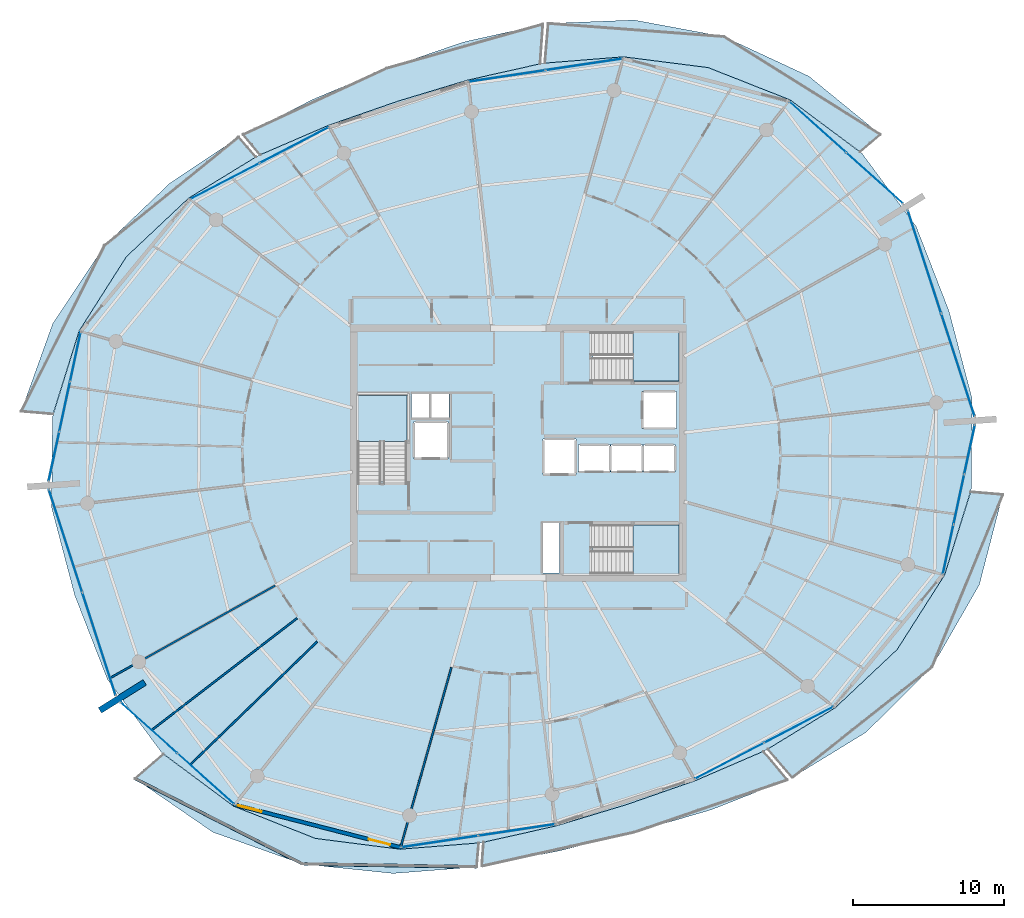
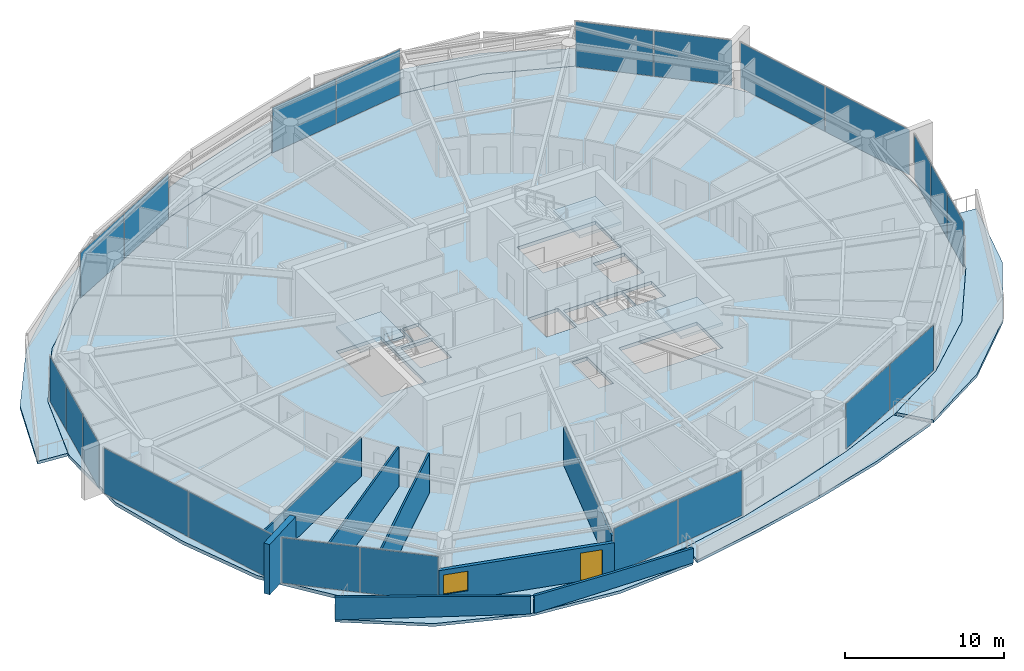
# One storey, part 16 of 29: 22 plates, 10 slabs, 8 walls, 1 door, 1 window, 2 openings, 13 elements without a shape of their own.
"""IFC4 building model written with IfcOpenShell, lengths in metres."""

from ifc_helpers import new_model, si_unit, direction, frame, frame_2d, origin, origin_2d, place, context, subcontext, project, spatial, polyline, rectangle, outline, extrude, material, layer, layer_set, type_object, element, fill, aggregate, save


model = new_model("IFC4")

# Units and contexts
model_context = context("Model", 3, precision=1e-05, world=origin(), true_north=direction((0.0, 1.0)))
body_context = subcontext(model_context, "Body", "Model", "MODEL_VIEW")
ifc_project = project(units=[si_unit("LENGTHUNIT", "METRE"), si_unit("AREAUNIT", "SQUARE_METRE"), si_unit("VOLUMEUNIT", "CUBIC_METRE"), si_unit("PLANEANGLEUNIT", "RADIAN"), si_unit("MASSUNIT", "GRAM", prefix="KILO")], contexts=[model_context])

# Site, building, storey
site_placement = place(None, origin())
site = spatial("IfcSite", under=ifc_project, at=site_placement, CompositionType="ELEMENT")
building_placement = place(site_placement, origin())
building = spatial("IfcBuilding", under=site, at=building_placement, Name="Kazma Halo Residences", CompositionType="ELEMENT")
storey_placement = place(building_placement, frame((0.0, 0.0, 282.89990234375)))
storey = spatial("IfcBuildingStorey", under=building, at=storey_placement, Name="L71", CompositionType="ELEMENT", Elevation=282.89990234375)

# Curtain wall, plates
ifc_material_1 = material(Name="Aluminium AW-6063 T6 and Triple-Silver Low-E Glass", Category="aluminium")
ifc_layer_1 = layer(ifc_material_1, 0.139892578125)
ifc_layer_set_1 = layer_set([ifc_layer_1], Name="Aluminium AW-6063 T6 and Triple-Silver Low-E Glass")
curtain_wall_type = type_object("IfcCurtainWallType", Name="CW-SYS-5", PredefinedType="NOTDEFINED", material=ifc_layer_set_1)
curtain_wall_1_placement = place(storey_placement, origin())
curtain_wall_1 = element("IfcCurtainWall", 1, at=curtain_wall_1_placement, inside=storey, type_object=curtain_wall_type, Name="L71 unitised curtain wall B01", PredefinedType="NOTDEFINED")
ifc_material_2 = material(Name="Clear Triple-Silver Low-E Glass IGU", Category="glass")
ifc_layer_2 = layer(ifc_material_2, 0.02587890625)
ifc_layer_set_2 = layer_set([ifc_layer_2], Name="Clear Triple-Silver Low-E Glass IGU")
plate_type = type_object("IfcPlateType", Name="CW-SYS-5-PNL", PredefinedType="CURTAIN_PANEL", material=ifc_layer_set_2)
plate_1_placement = place(storey_placement, frame((72.002685546875, 60.179443359375, 0.06005859375), z_axis=(0.0, 0.0, 1.0), x_axis=(-0.744336424671, 0.667804826958, 0.0)))
plate_1 = element("IfcPlate", 2, at=plate_1_placement, type_object=plate_type, Name="CWS-5 panel 1.1", PredefinedType="CURTAIN_PANEL", context=body_context, shape_type="SweptSolid", body=[
    extrude(rectangle(XDim=4.993408203125, YDim=0.02587890625, at=origin_2d()), origin(), (0.0, 0.0, 1.0), 3.469970703125),
])
plate_2_placement = place(storey_placement, frame((68.2412109375, 63.55419921875, 0.06005859375), z_axis=(0.0, 0.0, 1.0), x_axis=(-0.744336424671, 0.667804826958, 0.0)))
plate_2 = element("IfcPlate", 3, at=plate_2_placement, type_object=plate_type, Name="CWS-5 panel 2.1", PredefinedType="CURTAIN_PANEL", context=body_context, shape_type="SweptSolid", body=[
    extrude(rectangle(XDim=4.993408203125, YDim=0.02587890625, at=origin_2d()), origin(), (0.0, 0.0, 1.0), 3.469970703125),
])
aggregate(curtain_wall_1, [plate_1, plate_2])

curtain_wall_2_placement = place(storey_placement, origin())
curtain_wall_2 = element("IfcCurtainWall", 4, at=curtain_wall_2_placement, inside=storey, type_object=curtain_wall_type, Name="L71 unitised curtain wall B03", PredefinedType="NOTDEFINED")
plate_3_placement = place(storey_placement, frame((52.77783203125, 67.70361328125, 0.06005859375), z_axis=(0.0, 0.0, 1.0), x_axis=(-0.988882792998, -0.148697080374, 0.0)))
plate_3 = element("IfcPlate", 5, at=plate_3_placement, type_object=plate_type, Name="CWS-5 panel 1.1", PredefinedType="CURTAIN_PANEL", context=body_context, shape_type="SweptSolid", body=[
    extrude(rectangle(XDim=5.099853515625, YDim=0.02587890625, at=origin_2d()), origin(), (0.0, 0.0, 1.0), 3.469970703125),
])
plate_4_placement = place(storey_placement, frame((47.67529296875, 66.936279296875, 0.06005859375), z_axis=(0.0, 0.0, 1.0), x_axis=(-0.988882792998, -0.148697080374, 0.0)))
plate_4 = element("IfcPlate", 6, at=plate_4_placement, type_object=plate_type, Name="CWS-5 panel 2.1", PredefinedType="CURTAIN_PANEL", context=body_context, shape_type="SweptSolid", body=[
    extrude(rectangle(XDim=5.099853515625, YDim=0.02587890625, at=origin_2d()), origin(), (0.0, 0.0, 1.0), 3.469970703125),
])
aggregate(curtain_wall_2, [plate_3, plate_4])

curtain_wall_3_placement = place(storey_placement, origin())
curtain_wall_3 = element("IfcCurtainWall", 7, at=curtain_wall_3_placement, inside=storey, type_object=curtain_wall_type, Name="L71 unitised curtain wall B05", PredefinedType="NOTDEFINED")
plate_5_placement = place(storey_placement, frame((33.60546875, 62.36474609375, 0.06005859375), z_axis=(0.0, 0.0, 1.0), x_axis=(-0.887420518694, -0.460960760804, 0.0)))
plate_5 = element("IfcPlate", 8, at=plate_5_placement, type_object=plate_type, Name="CWS-5 panel 1.1", PredefinedType="CURTAIN_PANEL", context=body_context, shape_type="SweptSolid", body=[
    extrude(rectangle(XDim=5.099609375, YDim=0.02587890625, at=origin_2d()), origin(), (0.0, 0.0, 1.0), 3.469970703125),
])
plate_6_placement = place(storey_placement, frame((29.026611328125, 59.986328125, 0.06005859375), z_axis=(0.0, 0.0, 1.0), x_axis=(-0.887420518694, -0.460960760804, 0.0)))
plate_6 = element("IfcPlate", 9, at=plate_6_placement, type_object=plate_type, Name="CWS-5 panel 2.1", PredefinedType="CURTAIN_PANEL", context=body_context, shape_type="SweptSolid", body=[
    extrude(rectangle(XDim=5.099609375, YDim=0.02587890625, at=origin_2d()), origin(), (0.0, 0.0, 1.0), 3.469970703125),
])
aggregate(curtain_wall_3, [plate_5, plate_6])

curtain_wall_4_placement = place(storey_placement, origin())
curtain_wall_4 = element("IfcCurtainWall", 10, at=curtain_wall_4_placement, inside=storey, type_object=curtain_wall_type, Name="L71 unitised curtain wall B07", PredefinedType="NOTDEFINED")
plate_7_placement = place(storey_placement, frame((19.133056640625, 48.36865234375, 0.06005859375), z_axis=(0.0, 0.0, 1.0), x_axis=(-0.209657382603, -0.97777491373, 0.0)))
plate_7 = element("IfcPlate", 11, at=plate_7_placement, type_object=plate_type, Name="CWS-5 panel 1.1", PredefinedType="CURTAIN_PANEL", context=body_context, shape_type="SweptSolid", body=[
    extrude(rectangle(XDim=3.299072265625, YDim=0.02587890625, at=origin_2d()), origin(), (0.0, 0.0, 1.0), 3.469970703125),
])
plate_8_placement = place(storey_placement, frame((18.42578125, 45.069580078125, 0.06005859375), z_axis=(0.0, 0.0, 1.0), x_axis=(-0.209657382603, -0.97777491373, 0.0)))
plate_8 = element("IfcPlate", 12, at=plate_8_placement, type_object=plate_type, Name="CWS-5 panel 2.1", PredefinedType="CURTAIN_PANEL", context=body_context, shape_type="SweptSolid", body=[
    extrude(rectangle(XDim=3.3291015625, YDim=0.02587890625, at=origin_2d()), origin(), (0.0, 0.0, 1.0), 3.469970703125),
])
plate_9_placement = place(storey_placement, frame((17.71826171875, 41.7705078125, 0.06005859375), z_axis=(0.0, 0.0, 1.0), x_axis=(-0.209657382603, -0.97777491373, 0.0)))
plate_9 = element("IfcPlate", 13, at=plate_9_placement, type_object=plate_type, Name="CWS-5 panel 3.1", PredefinedType="CURTAIN_PANEL", context=body_context, shape_type="SweptSolid", body=[
    extrude(rectangle(XDim=3.299072265625, YDim=0.02587890625, at=origin_2d()), origin(), (0.0, 0.0, 1.0), 3.469970703125),
])
aggregate(curtain_wall_4, [plate_7, plate_8, plate_9])

curtain_wall_5_placement = place(storey_placement, origin())
curtain_wall_5 = element("IfcCurtainWall", 14, at=curtain_wall_5_placement, inside=storey, type_object=curtain_wall_type, Name="L71 unitised curtain wall B08", PredefinedType="NOTDEFINED")
plate_10_placement = place(storey_placement, frame((18.48486328125, 36.1787109375, 0.06005859375), z_axis=(0.0, 0.0, 1.0), x_axis=(0.309010998786, -0.951058464359, 0.0)))
plate_10 = element("IfcPlate", 15, at=plate_10_placement, type_object=plate_type, Name="CWS-5 panel 1.1", PredefinedType="CURTAIN_PANEL", context=body_context, shape_type="SweptSolid", body=[
    extrude(rectangle(XDim=7.108642578125, YDim=0.02587890625, at=origin_2d()), origin(), (0.0, 0.0, 1.0), 3.469970703125),
])
plate_11_placement = place(storey_placement, frame((20.699951171875, 29.36083984375, 0.06005859375), z_axis=(0.0, 0.0, 1.0), x_axis=(0.309010998786, -0.951058464359, 0.0)))
plate_11 = element("IfcPlate", 16, at=plate_11_placement, type_object=plate_type, Name="CWS-5 panel 2.1", PredefinedType="CURTAIN_PANEL", context=body_context, shape_type="SweptSolid", body=[
    extrude(rectangle(XDim=7.108642578125, YDim=0.02587890625, at=origin_2d()), origin(), (0.0, 0.0, 1.0), 3.469970703125),
])
aggregate(curtain_wall_5, [plate_10, plate_11])

curtain_wall_6_placement = place(storey_placement, origin())
curtain_wall_6 = element("IfcCurtainWall", 17, at=curtain_wall_6_placement, inside=storey, type_object=curtain_wall_type, Name="L71 unitised curtain wall B09", PredefinedType="NOTDEFINED")
plate_12_placement = place(storey_placement, frame((23.997314453125, 23.820556640625, 0.06005859375), z_axis=(0.0, 0.0, 1.0), x_axis=(0.744336424671, -0.667804826958, 0.0)))
plate_12 = element("IfcPlate", 18, at=plate_12_placement, type_object=plate_type, Name="CWS-5 panel 1.1", PredefinedType="CURTAIN_PANEL", context=body_context, shape_type="SweptSolid", body=[
    extrude(rectangle(XDim=4.993408203125, YDim=0.02587890625, at=origin_2d()), origin(), (0.0, 0.0, 1.0), 3.469970703125),
])
plate_13_placement = place(storey_placement, frame((27.7587890625, 20.44580078125, 0.06005859375), z_axis=(0.0, 0.0, 1.0), x_axis=(0.744336424671, -0.667804826958, 0.0)))
plate_13 = element("IfcPlate", 19, at=plate_13_placement, type_object=plate_type, Name="CWS-5 panel 2.1", PredefinedType="CURTAIN_PANEL", context=body_context, shape_type="SweptSolid", body=[
    extrude(rectangle(XDim=4.993408203125, YDim=0.02587890625, at=origin_2d()), origin(), (0.0, 0.0, 1.0), 3.469970703125),
])
aggregate(curtain_wall_6, [plate_12, plate_13])

curtain_wall_7_placement = place(storey_placement, origin())
curtain_wall_7 = element("IfcCurtainWall", 20, at=curtain_wall_7_placement, inside=storey, type_object=curtain_wall_type, Name="L71 unitised curtain wall B11", PredefinedType="NOTDEFINED")
plate_14_placement = place(storey_placement, frame((43.22216796875, 16.29638671875, 0.06005859375), z_axis=(0.0, 0.0, 1.0), x_axis=(0.988882792998, 0.148697080374, 0.0)))
plate_14 = element("IfcPlate", 21, at=plate_14_placement, type_object=plate_type, Name="CWS-5 panel 1.1", PredefinedType="CURTAIN_PANEL", context=body_context, shape_type="SweptSolid", body=[
    extrude(rectangle(XDim=5.099853515625, YDim=0.02587890625, at=origin_2d()), origin(), (0.0, 0.0, 1.0), 3.469970703125),
])
plate_15_placement = place(storey_placement, frame((48.32470703125, 17.063720703125, 0.06005859375), z_axis=(0.0, 0.0, 1.0), x_axis=(0.988882792998, 0.148697080374, 0.0)))
plate_15 = element("IfcPlate", 22, at=plate_15_placement, type_object=plate_type, Name="CWS-5 panel 2.1", PredefinedType="CURTAIN_PANEL", context=body_context, shape_type="SweptSolid", body=[
    extrude(rectangle(XDim=5.099853515625, YDim=0.02587890625, at=origin_2d()), origin(), (0.0, 0.0, 1.0), 3.469970703125),
])
aggregate(curtain_wall_7, [plate_14, plate_15])

curtain_wall_8_placement = place(storey_placement, origin())
curtain_wall_8 = element("IfcCurtainWall", 23, at=curtain_wall_8_placement, inside=storey, type_object=curtain_wall_type, Name="L71 unitised curtain wall B13", PredefinedType="NOTDEFINED")
plate_16_placement = place(storey_placement, frame((62.39453125, 21.63525390625, 0.06005859375), z_axis=(0.0, 0.0, 1.0), x_axis=(0.887420518694, 0.460960760804, 0.0)))
plate_16 = element("IfcPlate", 24, at=plate_16_placement, type_object=plate_type, Name="CWS-5 panel 1.1", PredefinedType="CURTAIN_PANEL", context=body_context, shape_type="SweptSolid", body=[
    extrude(rectangle(XDim=5.099609375, YDim=0.02587890625, at=origin_2d()), origin(), (0.0, 0.0, 1.0), 3.469970703125),
])
plate_17_placement = place(storey_placement, frame((66.973388671875, 24.013671875, 0.06005859375), z_axis=(0.0, 0.0, 1.0), x_axis=(0.887420518694, 0.460960760804, 0.0)))
plate_17 = element("IfcPlate", 25, at=plate_17_placement, type_object=plate_type, Name="CWS-5 panel 2.1", PredefinedType="CURTAIN_PANEL", context=body_context, shape_type="SweptSolid", body=[
    extrude(rectangle(XDim=5.099609375, YDim=0.02587890625, at=origin_2d()), origin(), (0.0, 0.0, 1.0), 3.469970703125),
])
aggregate(curtain_wall_8, [plate_16, plate_17])

curtain_wall_9_placement = place(storey_placement, origin())
curtain_wall_9 = element("IfcCurtainWall", 26, at=curtain_wall_9_placement, inside=storey, type_object=curtain_wall_type, Name="L71 unitised curtain wall B15", PredefinedType="NOTDEFINED")
plate_18_placement = place(storey_placement, frame((76.866943359375, 35.63134765625, 0.06005859375), z_axis=(0.0, 0.0, 1.0), x_axis=(0.209657382603, 0.97777491373, 0.0)))
plate_18 = element("IfcPlate", 27, at=plate_18_placement, type_object=plate_type, Name="CWS-5 panel 1.1", PredefinedType="CURTAIN_PANEL", context=body_context, shape_type="SweptSolid", body=[
    extrude(rectangle(XDim=3.299072265625, YDim=0.02587890625, at=origin_2d()), origin(), (0.0, 0.0, 1.0), 3.469970703125),
])
plate_19_placement = place(storey_placement, frame((77.57421875, 38.930419921875, 0.06005859375), z_axis=(0.0, 0.0, 1.0), x_axis=(0.209657382603, 0.97777491373, 0.0)))
plate_19 = element("IfcPlate", 28, at=plate_19_placement, type_object=plate_type, Name="CWS-5 panel 2.1", PredefinedType="CURTAIN_PANEL", context=body_context, shape_type="SweptSolid", body=[
    extrude(rectangle(XDim=3.3291015625, YDim=0.02587890625, at=origin_2d()), origin(), (0.0, 0.0, 1.0), 3.469970703125),
])
plate_20_placement = place(storey_placement, frame((78.28173828125, 42.2294921875, 0.06005859375), z_axis=(0.0, 0.0, 1.0), x_axis=(0.209657382603, 0.97777491373, 0.0)))
plate_20 = element("IfcPlate", 29, at=plate_20_placement, type_object=plate_type, Name="CWS-5 panel 3.1", PredefinedType="CURTAIN_PANEL", context=body_context, shape_type="SweptSolid", body=[
    extrude(rectangle(XDim=3.299072265625, YDim=0.02587890625, at=origin_2d()), origin(), (0.0, 0.0, 1.0), 3.469970703125),
])
aggregate(curtain_wall_9, [plate_18, plate_19, plate_20])

curtain_wall_10_placement = place(storey_placement, origin())
curtain_wall_10 = element("IfcCurtainWall", 30, at=curtain_wall_10_placement, inside=storey, type_object=curtain_wall_type, Name="L71 unitised curtain wall B16", PredefinedType="NOTDEFINED")
plate_21_placement = place(storey_placement, frame((77.51513671875, 47.8212890625, 0.06005859375), z_axis=(0.0, 0.0, 1.0), x_axis=(-0.309010998786, 0.951058464359, 0.0)))
plate_21 = element("IfcPlate", 31, at=plate_21_placement, type_object=plate_type, Name="CWS-5 panel 1.1", PredefinedType="CURTAIN_PANEL", context=body_context, shape_type="SweptSolid", body=[
    extrude(rectangle(XDim=7.108642578125, YDim=0.02587890625, at=origin_2d()), origin(), (0.0, 0.0, 1.0), 3.469970703125),
])
plate_22_placement = place(storey_placement, frame((75.300048828125, 54.63916015625, 0.06005859375), z_axis=(0.0, 0.0, 1.0), x_axis=(-0.309010998786, 0.951058464359, 0.0)))
plate_22 = element("IfcPlate", 32, at=plate_22_placement, type_object=plate_type, Name="CWS-5 panel 2.1", PredefinedType="CURTAIN_PANEL", context=body_context, shape_type="SweptSolid", body=[
    extrude(rectangle(XDim=7.108642578125, YDim=0.02587890625, at=origin_2d()), origin(), (0.0, 0.0, 1.0), 3.469970703125),
])
aggregate(curtain_wall_10, [plate_21, plate_22])

# Slabs
ifc_material_3 = material(Name="White Concrete C50/60", Category="concrete")
ifc_layer_3 = layer(ifc_material_3, 0.219970703125)
ifc_layer_set_3 = layer_set([ifc_layer_3], Name="White Concrete C50/60")
slab_type_1 = type_object("IfcSlabType", Name="SLB-BAL-WAVE-210", PredefinedType="FLOOR", material=ifc_layer_set_3)
slab_1_placement = place(storey_placement, frame((0.0, 0.0, -0.219970703125)))
element("IfcSlab", 33, at=slab_1_placement, inside=storey, type_object=slab_type_1, Name="L71 NE cantilevered wave balcony slab", PredefinedType="FLOOR", context=body_context, shape_type="SweptSolid", body=[
    extrude(outline(polyline([(71.0400390625, 61.9228515625), (66.41357421875, 65.357421875), (60.990478515625, 67.49560546875), (55.3916015625, 68.208984375), (50.188720703125, 67.794189453125), (50.410888671875, 70.414794921875), (56.07861328125, 70.644287109375), (62.033447265625, 69.5419921875), (67.6494140625, 66.92529296875), (72.371337890625, 63.073974609375), (71.0400390625, 61.9228515625)])), origin(), (0.0, 0.0, 1.0), 0.219970703125),
])
slab_2_placement = place(storey_placement, frame((0.0, 0.0, -0.219970703125)))
element("IfcSlab", 34, at=slab_2_placement, inside=storey, type_object=slab_type_1, Name="L71 NNW cantilevered wave balcony slab", PredefinedType="FLOOR", context=body_context, shape_type="SweptSolid", body=[
    extrude(outline(polyline([(49.8681640625, 67.74609375), (45.080078125, 66.66943359375), (40.43994140625, 65.267333984375), (35.86181640625, 63.67431640625), (31.35546875, 61.731201171875), (30.230712890625, 63.064453125), (34.88623046875, 65.416259765625), (39.730224609375, 67.451904296875), (44.78271484375, 69.182373046875), (50.05810546875, 70.364501953125), (49.8681640625, 67.74609375)])), origin(), (0.0, 0.0, 1.0), 0.219970703125),
])
slab_3_placement = place(storey_placement, frame((0.0, 0.0, -0.219970703125)))
element("IfcSlab", 35, at=slab_3_placement, inside=storey, type_object=slab_type_1, Name="L71 NW cantilevered wave balcony slab", PredefinedType="FLOOR", context=body_context, shape_type="SweptSolid", body=[
    extrude(outline(polyline([(31.06787109375, 61.58154296875), (26.614501953125, 58.85888671875), (22.50439453125, 54.990478515625), (19.3740234375, 50.0732421875), (17.64990234375, 44.5751953125), (15.5458984375, 44.75390625), (17.6328125, 50.564453125), (21.063232421875, 55.72509765625), (25.36767578125, 59.842041015625), (29.9326171875, 62.89453125), (31.06787109375, 61.58154296875)])), origin(), (0.0, 0.0, 1.0), 0.219970703125),
])
slab_4_placement = place(storey_placement, frame((0.0, 0.0, -0.219970703125)))
element("IfcSlab", 36, at=slab_4_placement, inside=storey, type_object=slab_type_1, Name="L71 SW cantilevered wave balcony slab", PredefinedType="FLOOR", context=body_context, shape_type="SweptSolid", body=[
    extrude(outline(polyline([(24.9599609375, 22.0771484375), (29.58642578125, 18.642578125), (35.009521484375, 16.50439453125), (40.6083984375, 15.791015625), (45.811279296875, 16.205810546875), (45.677001953125, 14.62109375), (40.15625, 14.187744140625), (34.147216796875, 14.8125), (28.224853515625, 16.915283203125), (23.08251953125, 20.453857421875), (24.9599609375, 22.0771484375)])), origin(), (0.0, 0.0, 1.0), 0.219970703125),
])
slab_5_placement = place(storey_placement, frame((0.0, 0.0, -0.219970703125)))
element("IfcSlab", 37, at=slab_5_placement, inside=storey, type_object=slab_type_1, Name="L71 SSE cantilevered wave balcony slab", PredefinedType="FLOOR", context=body_context, shape_type="SweptSolid", body=[
    extrude(outline(polyline([(46.1318359375, 16.25390625), (50.919921875, 17.33056640625), (55.56005859375, 18.732666015625), (60.13818359375, 20.32568359375), (64.64453125, 22.268798828125), (66.23486328125, 20.3837890625), (61.212890625, 18.40673828125), (56.146728515625, 16.926513671875), (51.115478515625, 15.676513671875), (46.01708984375, 14.672607421875), (46.1318359375, 16.25390625)])), origin(), (0.0, 0.0, 1.0), 0.219970703125),
])
slab_6_placement = place(storey_placement, frame((0.0, 0.0, -0.219970703125)))
element("IfcSlab", 38, at=slab_6_placement, inside=storey, type_object=slab_type_1, Name="L71 SE cantilevered wave balcony slab", PredefinedType="FLOOR", context=body_context, shape_type="SweptSolid", body=[
    extrude(outline(polyline([(64.93212890625, 22.41845703125), (69.385498046875, 25.14111328125), (73.49560546875, 29.009521484375), (76.6259765625, 33.9267578125), (78.35009765625, 39.4248046875), (80.472900390625, 39.24462890625), (78.923095703125, 33.27880859375), (75.79296875, 27.8388671875), (71.43359375, 23.526611328125), (66.55712890625, 20.5390625), (64.93212890625, 22.41845703125)])), origin(), (0.0, 0.0, 1.0), 0.219970703125),
])
ifc_material_4 = material(Name="Concrete C50/60", Category="concrete")
ifc_layer_4 = layer(ifc_material_4, 0.260009765625)
ifc_layer_set_4 = layer_set([ifc_layer_4], Name="Concrete C50/60")
slab_type_2 = type_object("IfcSlabType", Name="SLB-RES-260", PredefinedType="FLOOR", material=ifc_layer_set_4)
slab_7_placement = place(storey_placement, frame((0.0, 0.0, -0.260009765625)))
element("IfcSlab", 39, at=slab_7_placement, inside=storey, type_object=slab_type_2, Name="L71 structural floor slab", PredefinedType="FLOOR", context=body_context, shape_type="SweptSolid", body=[
    extrude(outline(polyline([(76.9189453125, 51.396240234375), (74.749755859375, 56.980712890625), (71.180419921875, 61.7978515625), (66.412109375, 65.355712890625), (60.98974609375, 67.49365234375), (55.39111328125, 68.207275390625), (50.02880859375, 67.7783203125), (45.080322265625, 66.66748046875), (40.440673828125, 65.265380859375), (35.86279296875, 63.672607421875), (31.20654296875, 61.66259765625), (26.6162109375, 58.857666015625), (22.50634765625, 54.98974609375), (19.3759765625, 50.07275390625), (17.60986328125, 44.391845703125), (17.5537109375, 38.396484375), (19.0810546875, 32.603759765625), (21.250244140625, 27.019287109375), (24.819580078125, 22.2021484375), (29.587890625, 18.644287109375), (35.01025390625, 16.50634765625), (40.60888671875, 15.792724609375), (45.97119140625, 16.2216796875), (50.919677734375, 17.33251953125), (55.559326171875, 18.734619140625), (60.13720703125, 20.327392578125), (64.79345703125, 22.33740234375), (69.3837890625, 25.142333984375), (73.49365234375, 29.01025390625), (76.6240234375, 33.92724609375), (78.39013671875, 39.608154296875), (78.4462890625, 45.603515625), (76.9189453125, 51.396240234375)]), holes=[polyline([(37.800048828125, 40.110107421875), (41.050048828125, 40.110107421875), (41.050048828125, 45.800048828125), (37.800048828125, 45.800048828125), (37.800048828125, 40.110107421875)]), polyline([(53.360107421875, 46.75), (59.050048828125, 46.75), (59.050048828125, 50.0), (53.360107421875, 50.0), (53.360107421875, 46.75)]), polyline([(53.360107421875, 34.0), (59.050048828125, 34.0), (59.050048828125, 37.25), (53.360107421875, 37.25), (53.360107421875, 34.0)]), polyline([(41.52001953125, 41.6201171875), (43.780029296875, 41.6201171875), (43.780029296875, 44.080078125), (41.52001953125, 44.080078125), (41.52001953125, 41.6201171875)]), polyline([(56.6201171875, 43.6201171875), (58.8798828125, 43.6201171875), (58.8798828125, 46.080078125), (56.6201171875, 46.080078125), (56.6201171875, 43.6201171875)]), polyline([(52.39501953125, 40.7451171875), (54.5048828125, 40.7451171875), (54.5048828125, 42.554931640625), (52.39501953125, 42.554931640625), (52.39501953125, 40.7451171875)]), polyline([(54.544921875, 40.7451171875), (56.655029296875, 40.7451171875), (56.655029296875, 42.554931640625), (54.544921875, 42.554931640625), (54.544921875, 40.7451171875)]), polyline([(56.695068359375, 40.7451171875), (58.804931640625, 40.7451171875), (58.804931640625, 42.554931640625), (56.695068359375, 42.554931640625), (56.695068359375, 40.7451171875)]), polyline([(50.070068359375, 40.570068359375), (52.22998046875, 40.570068359375), (52.22998046875, 42.929931640625), (50.070068359375, 42.929931640625), (50.070068359375, 40.570068359375)]), polyline([(41.360107421875, 44.340087890625), (42.5400390625, 44.340087890625), (42.5400390625, 45.89990234375), (41.360107421875, 45.89990234375), (41.360107421875, 44.340087890625)]), polyline([(42.659912109375, 44.340087890625), (43.840087890625, 44.340087890625), (43.840087890625, 45.89990234375), (42.659912109375, 45.89990234375), (42.659912109375, 44.340087890625)]), polyline([(50.06005859375, 34.080078125), (51.159912109375, 34.080078125), (51.159912109375, 37.3798828125), (50.06005859375, 37.3798828125), (50.06005859375, 34.080078125)])]), origin(), (0.0, 0.0, 1.0), 0.260009765625),
])

# Stair, slab
stair_type = type_object("IfcStairType", Name="STR-RES2", PredefinedType="HALF_TURN_STAIR", material=ifc_material_4)
stair_1_placement = place(storey_placement, origin())
stair_1 = element("IfcStair", 40, at=stair_1_placement, inside=storey, type_object=stair_type, Name="L71 Core exit stair ST-01", PredefinedType="HALF_TURN_STAIR")
ifc_layer_5 = layer(ifc_material_4, 0.199951171875)
ifc_layer_set_5 = layer_set([ifc_layer_5], Name="Concrete C50/60")
slab_type_3 = type_object("IfcSlabType", Name="SLB-STAIR-LND-200", PredefinedType="LANDING", material=ifc_layer_set_5)
slab_8_placement = place(storey_placement, frame((0.0, 0.0, 1.72509765625)))
slab_8 = element("IfcSlab", 41, at=slab_8_placement, type_object=slab_type_3, Name="ST-01 landing 1", PredefinedType="LANDING", context=body_context, shape_type="SweptSolid", body=[
    extrude(outline(polyline([(41.050048828125, 42.75), (41.050048828125, 45.800048828125), (37.800048828125, 45.800048828125), (37.800048828125, 42.75), (41.050048828125, 42.75)])), origin(), (0.0, 0.0, 1.0), 0.199951171875),
])
aggregate(stair_1, [slab_8])

stair_2_placement = place(storey_placement, origin())
stair_2 = element("IfcStair", 42, at=stair_2_placement, inside=storey, type_object=stair_type, Name="L71 Core exit stair ST-02", PredefinedType="HALF_TURN_STAIR")
slab_9_placement = place(storey_placement, frame((0.0, 0.0, 1.72509765625)))
slab_9 = element("IfcSlab", 43, at=slab_9_placement, type_object=slab_type_3, Name="ST-02 landing 1", PredefinedType="LANDING", context=body_context, shape_type="SweptSolid", body=[
    extrude(outline(polyline([(56.0, 46.75), (59.050048828125, 46.75), (59.050048828125, 50.0), (56.0, 50.0), (56.0, 46.75)])), origin(), (0.0, 0.0, 1.0), 0.199951171875),
])
aggregate(stair_2, [slab_9])

stair_3_placement = place(storey_placement, origin())
stair_3 = element("IfcStair", 44, at=stair_3_placement, inside=storey, type_object=stair_type, Name="L71 Core exit stair ST-03", PredefinedType="HALF_TURN_STAIR")
slab_10_placement = place(storey_placement, frame((0.0, 0.0, 1.72509765625)))
slab_10 = element("IfcSlab", 45, at=slab_10_placement, type_object=slab_type_3, Name="ST-03 landing 1", PredefinedType="LANDING", context=body_context, shape_type="SweptSolid", body=[
    extrude(outline(polyline([(56.0, 34.0), (59.050048828125, 34.0), (59.050048828125, 37.25), (56.0, 37.25), (56.0, 34.0)])), origin(), (0.0, 0.0, 1.0), 0.199951171875),
])
aggregate(stair_3, [slab_10])

# Walls
ifc_material_5 = material(Name="White Concrete C50/60 Balustrade", Category="concrete")
ifc_layer_6 = layer(ifc_material_5, 0.179931640625)
ifc_layer_set_6 = layer_set([ifc_layer_6], Name="White Concrete C50/60 Balustrade")
wall_type_1 = type_object("IfcWallType", Name="WL-BAL-WAVE-180", PredefinedType="PARAPET", material=ifc_layer_set_6)
wall_1_placement = place(storey_placement, frame((23.08251953125, 20.453857421875, 0.0), z_axis=(0.0, 0.0, 1.0), x_axis=(0.890886303028, -0.454226369861, 0.0)))
element("IfcWall", 46, at=wall_1_placement, inside=storey, type_object=wall_type_1, Name="L71 white wave balustrade wall SW.1", PredefinedType="PARAPET", context=body_context, shape_type="SweptSolid", body=[
    extrude(outline(polyline([(0.0, 0.0), (12.2998046875, 0.0), (12.2998046875, 1.34814453125), (6.14990234375, 1.56201171875), (0.0, 1.7470703125), (0.0, 0.0)])), frame((0.0, 0.08984375, 0.0), z_axis=(0.0, -1.0, 0.0), x_axis=(1.0, 0.0, 0.0)), (0.0, 0.0, 1.0), 0.179931640625),
])
wall_2_placement = place(storey_placement, frame((34.267333984375, 14.810546875, 0.0), z_axis=(0.0, 0.0, 1.0), x_axis=(0.999862171908, -0.016602324761, 0.0)))
element("IfcWall", 47, at=wall_2_placement, inside=storey, type_object=wall_type_1, Name="L71 white wave balustrade wall SW.2", PredefinedType="PARAPET", context=body_context, shape_type="SweptSolid", body=[
    extrude(outline(polyline([(0.0, 0.0), (11.4111328125, 0.0), (11.4111328125, 1.1201171875), (5.70556640625, 1.18212890625), (0.0, 1.34814453125), (0.0, 0.0)])), frame((0.0, 0.08984375, 0.0), z_axis=(0.0, -1.0, 0.0), x_axis=(1.0, 0.0, 0.0)), (0.0, 0.0, 1.0), 0.179931640625),
])
ifc_material_6 = material(Name="Pale Concrete C60/75", Category="concrete")
ifc_layer_7 = layer(ifc_material_6, 0.419921875)
ifc_layer_set_7 = layer_set([ifc_layer_7], Name="Pale Concrete C60/75")
wall_type_2 = type_object("IfcWallType", Name="WL-BLADE-420", PredefinedType="SOLIDWALL", material=ifc_layer_set_7)
wall_3_placement = place(storey_placement, frame((23.718505859375, 26.827392578125, 0.0), z_axis=(0.0, 0.0, 1.0), x_axis=(-0.848033572426, -0.529942506352, 0.0)))
element("IfcWall", 48, at=wall_3_placement, inside=storey, type_object=wall_type_2, Name="L71 pale concrete structural blade fin wall BW-03", PredefinedType="SOLIDWALL", context=body_context, shape_type="SweptSolid", body=[
    extrude(rectangle(XDim=3.5, YDim=0.419921875, at=frame_2d((1.75, 0.0))), origin(), (0.0, 0.0, 1.0), 3.85009765625),
])

# Wall, openings, door, window
ifc_material_7 = material(Name="Insulated Pale-Metal Composite Wall")
ifc_layer_8 = layer(ifc_material_7, 0.239990234375)
ifc_layer_set_8 = layer_set([ifc_layer_8], Name="Insulated Pale-Metal Composite Wall")
wall_type_3 = type_object("IfcWallType", Name="WL-EXT-HOST-240", PredefinedType="SOLIDWALL", material=ifc_layer_set_8)
wall_4_placement = place(storey_placement, frame((29.613525390625, 18.7509765625, 0.0), z_axis=(0.0, 0.0, 1.0), x_axis=(0.968343758421, -0.249620442927, 0.0)))
wall_4 = element("IfcWall", 49, at=wall_4_placement, inside=storey, type_object=wall_type_3, Name="L71 exterior terrace-access wall B10", PredefinedType="SOLIDWALL", context=body_context, shape_type="SweptSolid", body=[
    extrude(rectangle(XDim=11.438232421875, YDim=0.239990234375, at=frame_2d((5.71923828125, 0.0))), origin(), (0.0, 0.0, 1.0), 2.5400390625),
])
opening_1_placement = place(wall_4_placement, frame((9.21826171875, 0.0, 0.0)))
opening_1 = element("IfcOpeningElement", 50, at=opening_1_placement, cuts=wall_4, Name="Opening DTR-1600", PredefinedType="OPENING", context=body_context, shape_type="SweptSolid", body=[
    extrude(rectangle(XDim=1.449951171875, YDim=2.14990234375, at=frame_2d((0.72509765625, 1.074951171875))), frame((0.0, 0.1298828125, 0.0), z_axis=(0.0, -1.0, 0.0), x_axis=(1.0, 0.0, 0.0)), (0.0, 0.0, 1.0), 0.260009765625),
])
opening_2_placement = place(wall_4_placement, frame((0.280029296875, 0.0, 0.64990234375)))
opening_2 = element("IfcOpeningElement", 51, at=opening_2_placement, cuts=wall_4, Name="Opening W-1800", PredefinedType="OPENING", context=body_context, shape_type="SweptSolid", body=[
    extrude(rectangle(XDim=1.60009765625, YDim=1.5, at=frame_2d((0.800048828125, 0.75))), frame((0.0, 0.1298828125, 0.0), z_axis=(0.0, -1.0, 0.0), x_axis=(1.0, 0.0, 0.0)), (0.0, 0.0, 1.0), 0.260009765625),
])
ifc_material_8 = material(Name="Aluminium AW-6063 T6 Double-Glazed Terrace Door", Category="aluminium")
door_type = type_object("IfcDoorType", Name="DR-EXT-TERR-1600", OperationType="NOTDEFINED", PredefinedType="DOOR", material=ifc_material_8)
door_placement = place(opening_1_placement, origin())
door = element("IfcDoor", 52, at=door_placement, inside=storey, type_object=door_type, Name="L71 B10 balcony terrace door", OperationType="DOUBLE_DOOR_SLIDING", OverallHeight=2.14990234375, OverallWidth=1.449951171875, PredefinedType="DOOR", context=body_context, shape_type="SweptSolid", body=[
    extrude(rectangle(XDim=1.449951171875, YDim=2.14990234375, at=frame_2d((0.72509765625, 1.074951171875))), frame((0.0, 0.02490234375, 0.0), z_axis=(0.0, -1.0, 0.0), x_axis=(1.0, 0.0, 0.0)), (0.0, 0.0, 1.0), 0.050048828125),
])
fill(opening_1, door)
ifc_material_9 = material(Name="Clear Triple-Silver Low-E Glass in Aluminium AW-6063 T6 Frame", Category="aluminium")
window_type = type_object("IfcWindowType", Name="WIN-RES-1800", PartitioningType="DOUBLE_PANEL_VERTICAL", PredefinedType="WINDOW", material=ifc_material_9)
window_placement = place(opening_2_placement, origin())
window = element("IfcWindow", 53, at=window_placement, inside=storey, type_object=window_type, Name="L71 B10 apartment window", OverallHeight=1.5, OverallWidth=1.60009765625, PartitioningType="SINGLE_PANEL", PredefinedType="WINDOW", context=body_context, shape_type="SweptSolid", body=[
    extrude(rectangle(XDim=1.60009765625, YDim=1.5, at=frame_2d((0.800048828125, 0.75))), frame((0.0, 0.030029296875, 0.0), z_axis=(0.0, -1.0, 0.0), x_axis=(1.0, 0.0, 0.0)), (0.0, 0.0, 1.0), 0.06005859375),
])
fill(opening_2, window)

# Walls
ifc_material_10 = material(Name="Gypsum Plasterboard Partition")
ifc_layer_9 = layer(ifc_material_10, 0.125)
ifc_layer_set_9 = layer_set([ifc_layer_9], Name="Gypsum Plasterboard Partition")
wall_type_4 = type_object("IfcWallType", Name="WL-PART-125", PredefinedType="PARTITIONING", material=ifc_layer_set_9)
wall_5_placement = place(storey_placement, frame((32.345703125, 33.233154296875, 0.0), z_axis=(0.0, 0.0, 1.0), x_axis=(-0.872495014167, -0.488623014454, 0.0)))
element("IfcWall", 54, at=wall_5_placement, inside=storey, type_object=wall_type_4, Name="L71 Apartment 1 radial partition 8", PredefinedType="PARTITIONING", context=body_context, shape_type="SweptSolid", body=[
    extrude(rectangle(XDim=12.48779296875, YDim=0.125, at=frame_2d((6.243896484375, 0.0))), origin(), (0.0, 0.0, 1.0), 2.95703125),
])
wall_6_placement = place(storey_placement, frame((33.787841796875, 31.065185546875, 0.0), z_axis=(0.0, 0.0, 1.0), x_axis=(-0.792555782664, -0.609799418962, 0.0)))
element("IfcWall", 55, at=wall_6_placement, inside=storey, type_object=wall_type_4, Name="L71 Apartment 1 bay wall 1 8", PredefinedType="PARTITIONING", context=body_context, shape_type="SweptSolid", body=[
    extrude(rectangle(XDim=12.10986328125, YDim=0.125, at=frame_2d((6.054931640625, 0.0))), origin(), (0.0, 0.0, 1.0), 3.030029296875),
])
wall_7_placement = place(storey_placement, frame((35.12255859375, 29.52099609375, 0.0), z_axis=(0.0, 0.0, 1.0), x_axis=(-0.718122654742, -0.695916555879, 0.0)))
element("IfcWall", 56, at=wall_7_placement, inside=storey, type_object=wall_type_4, Name="L71 Apartment 1 bay wall 2 8", PredefinedType="PARTITIONING", context=body_context, shape_type="SweptSolid", body=[
    extrude(rectangle(XDim=11.676025390625, YDim=0.125, at=frame_2d((5.837890625, 0.0))), origin(), (0.0, 0.0, 1.0), 3.030029296875),
])
wall_8_placement = place(storey_placement, frame((44.0, 27.8173828125, 0.0), z_axis=(0.0, 0.0, 1.0), x_axis=(-0.271434127064, -0.962457019646, 0.0)))
element("IfcWall", 57, at=wall_8_placement, inside=storey, type_object=wall_type_4, Name="L71 Apartment 2 radial partition 10", PredefinedType="PARTITIONING", context=body_context, shape_type="SweptSolid", body=[
    extrude(rectangle(XDim=12.248779296875, YDim=0.125, at=frame_2d((6.12451171875, 0.0))), origin(), (0.0, 0.0, 1.0), 2.95703125),
])

save(model, "model.ifc")
